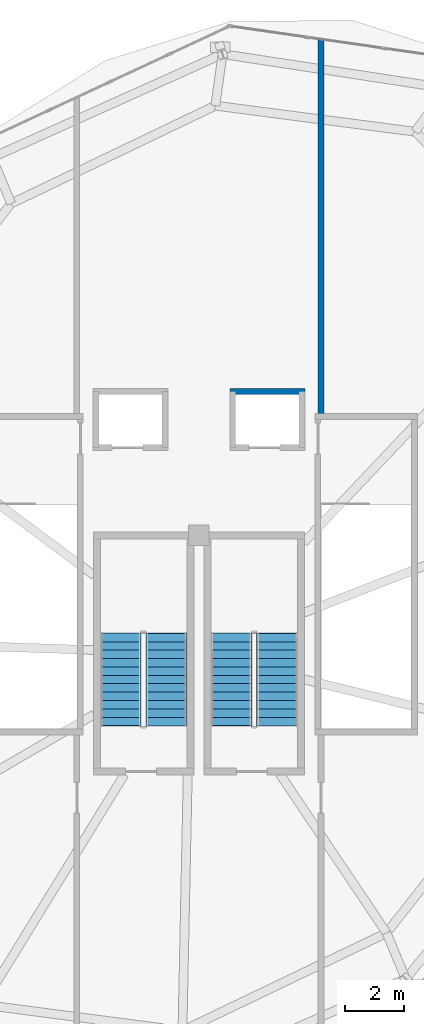
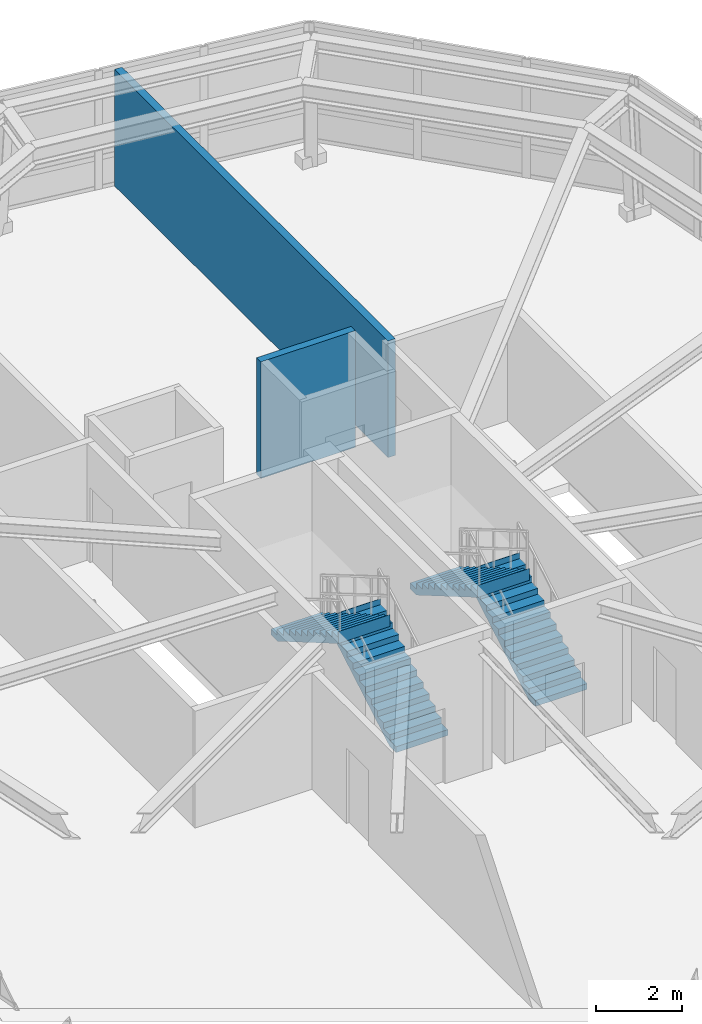
# One storey, part 13 of 14: 4 stair flights, 2 walls, 2 elements without a shape of their own.
"""IFC4 building model written with IfcOpenShell, lengths in metres."""

import ifcopenshell
import ifcopenshell.guid

model = None  # the IFC model being written
_history = None  # IfcOwnerHistory: only IFC2X3 demands one
_inside = {}  # id of a spatial element -> (the spatial element, [elements in it])
_under = {}  # id of a project, library or spatial element -> (it, [spatial elements below it])
_declared = {}  # id of a project -> (the project, [libraries it declares])
_typed = {}  # id of a type object -> (the type object, [elements of that type])
_made_of = {}  # id of a material, layer set ... -> (it, [elements and type objects made of it])


def new_model(schema):
    """Start an empty IFC model of exactly this schema.

    Asked for "IFC4X3", IfcOpenShell would pick the latest addendum, in which some entities
    have other attributes; the version numbers below select the first issue.
    IFC2X3 requires an IfcOwnerHistory on every rooted entity: one is made here for all.
    """
    global model, _history
    if schema == "IFC4X3":
        model = ifcopenshell.file(schema_version=(4, 3, 0, 0))
    else:
        model = ifcopenshell.file(schema=schema)
    _inside.clear()
    _under.clear()
    _declared.clear()
    _typed.clear()
    _made_of.clear()
    _history = None
    if model.schema == "IFC2X3":
        org = make("IfcOrganization", Name="unknown")
        user = make(
            "IfcPersonAndOrganization",
            ThePerson=make("IfcPerson", FamilyName="unknown"),
            TheOrganization=org,
        )
        app = make(
            "IfcApplication",
            ApplicationDeveloper=org,
            Version="unknown",
            ApplicationFullName="unknown",
            ApplicationIdentifier="unknown",
        )
        _history = make(
            "IfcOwnerHistory",
            OwningUser=user,
            OwningApplication=app,
            ChangeAction="ADDED",
            CreationDate=0,
        )
    return model


def make(cls, **values):
    """One entity of the class cls with the attributes given. An attribute that is None is left unset."""
    return model.create_entity(
        cls, **{name: value for name, value in values.items() if value is not None}
    )


def rooted(cls, **values):
    """An entity with a GlobalId (a new one), such as an element, a storey or a relation."""
    return make(cls, GlobalId=ifcopenshell.guid.new(), OwnerHistory=_history, **values)


def si_unit(unit_type, name, prefix=None):
    """IfcSIUnit, for example si_unit("LENGTHUNIT", "METRE", prefix="MILLI")."""
    return make("IfcSIUnit", UnitType=unit_type, Prefix=prefix, Name=name)


def assignment(units):
    """IfcUnitAssignment: the units of a project."""
    return None if units is None else make("IfcUnitAssignment", Units=units)


def point(xyz):
    """IfcCartesianPoint."""
    return None if xyz is None else make("IfcCartesianPoint", Coordinates=xyz)


def direction(xyz):
    """IfcDirection."""
    return None if xyz is None else make("IfcDirection", DirectionRatios=xyz)


def frame(location, z_axis=None, x_axis=None):
    """IfcAxis2Placement3D, a coordinate frame: its origin and axes. An axis left out is left unset."""
    return make(
        "IfcAxis2Placement3D",
        Location=point(location),
        Axis=direction(z_axis),
        RefDirection=direction(x_axis),
    )


def frame_2d(location, x_axis=None):
    """IfcAxis2Placement2D, a coordinate frame in the plane: its origin and x axis."""
    return make(
        "IfcAxis2Placement2D", Location=point(location), RefDirection=direction(x_axis)
    )


def origin():
    """The frame at (0, 0, 0) with its axes left unset."""
    return frame((0.0, 0.0, 0.0))


def place(relative_to, where):
    """IfcLocalPlacement: puts the frame where relative to a parent placement (None: the world)."""
    return make(
        "IfcLocalPlacement", PlacementRelTo=relative_to, RelativePlacement=where
    )


def context(
    kind, dimensions, precision=None, world=None, true_north=None, identifier=None
):
    """IfcGeometricRepresentationContext, for example the 3D "Model" context."""
    return make(
        "IfcGeometricRepresentationContext",
        ContextIdentifier=identifier,
        ContextType=kind,
        CoordinateSpaceDimension=dimensions,
        Precision=precision,
        WorldCoordinateSystem=world,
        TrueNorth=true_north,
    )


def subcontext(parent, identifier, kind, view, scale=None):
    """IfcGeometricRepresentationSubContext, for example "Body" below "Model"."""
    return make(
        "IfcGeometricRepresentationSubContext",
        ContextIdentifier=identifier,
        ContextType=kind,
        ParentContext=parent,
        TargetScale=scale,
        TargetView=view,
    )


def project(units=None, contexts=None):
    """IfcProject with its units and contexts."""
    return rooted(
        "IfcProject",
        Name="project",
        RepresentationContexts=contexts,
        UnitsInContext=assignment(units),
    )


def spatial(cls, under=None, at=None, **own):
    """A site, building, storey or space (cls), placed at a placement, below another one or the project."""
    s = rooted(cls, ObjectPlacement=at, **own)
    if under is not None:
        _under.setdefault(under.id(), (under, []))[1].append(s)
    return s


def polyline(points):
    """IfcPolyline through the points."""
    return make("IfcPolyline", Points=[point(p) for p in points])


def profile(cls, at=None, kind="AREA", **sizes):
    """A parametric profile (cls). Its sizes go by their IFC names, for example OverallWidth=200.0."""
    return make(cls, ProfileType=kind, Position=at, **sizes)


def rectangle(**sizes):
    """IfcRectangleProfileDef."""
    return profile("IfcRectangleProfileDef", **sizes)


def outline(outer, holes=None, kind="AREA"):
    """IfcArbitraryClosedProfileDef: a profile drawn as a closed curve; with holes, ...WithVoids."""
    if holes is None:
        return make("IfcArbitraryClosedProfileDef", ProfileType=kind, OuterCurve=outer)
    return make(
        "IfcArbitraryProfileDefWithVoids",
        ProfileType=kind,
        OuterCurve=outer,
        InnerCurves=holes,
    )


def extrude(swept, where, along, depth):
    """IfcExtrudedAreaSolid: the profile swept, set in the frame where, extruded along a direction by depth."""
    return make(
        "IfcExtrudedAreaSolid",
        SweptArea=swept,
        Position=where,
        ExtrudedDirection=direction(along),
        Depth=depth,
    )


def shape(context_of_items, identifier, shape_type, items):
    """IfcShapeRepresentation: the items that make up one representation, for example the "Body"."""
    return make(
        "IfcShapeRepresentation",
        ContextOfItems=context_of_items,
        RepresentationIdentifier=identifier,
        RepresentationType=shape_type,
        Items=items,
    )


def material(Name=None, Category=None):
    """IfcMaterial."""
    return make("IfcMaterial", Name=Name, Category=Category)


def layer(
    of_material, thickness, ventilated=None, Name=None, Category=None, Priority=None
):
    """IfcMaterialLayer: one layer of a wall or slab, of a material (None: an air gap)."""
    return make(
        "IfcMaterialLayer",
        Material=of_material,
        LayerThickness=thickness,
        IsVentilated=ventilated,
        Name=Name,
        Category=Category,
        Priority=Priority,
    )


def layer_set(layers, Name=None):
    """IfcMaterialLayerSet."""
    return make("IfcMaterialLayerSet", MaterialLayers=layers, LayerSetName=Name)


def made_of(thing, what):
    """Note that an element or type object is made of a material, layer set ...; save() writes the relation."""
    if what is not None:
        _made_of.setdefault(what.id(), (what, []))[1].append(thing)
    return thing


def type_object(cls, material=None, **own):
    """A type object (cls), such as IfcWallType, which elements share."""
    return made_of(rooted(cls, **own), material)


def element(
    cls,
    number,
    at=None,
    inside=None,
    cuts=None,
    type_object=None,
    material=None,
    context=None,
    identifier="Body",
    shape_type=None,
    held_by="IfcProductDefinitionShape",
    body=None,
    shapes=None,
    **own,
):
    """One element of the class cls, such as IfcWall. Its Tag is "e" and its number.

    at: its placement. inside: the storey or other place that contains it. cuts: it is an
    opening in that element (IfcRelVoidsElement). A single representation is given by context,
    identifier, shape_type and body (its items); several are given by shapes. held_by: the class
    of the entity that holds the representations. save() writes the other relations.
    """
    e = rooted(cls, Tag="e%d" % number, ObjectPlacement=at, **own)
    if body is not None:
        shapes = [shape(context, identifier, shape_type, body)]
    if shapes is not None:
        e.Representation = make(held_by, Representations=shapes)
    if inside is not None:
        _inside.setdefault(inside.id(), (inside, []))[1].append(e)
    if cuts is not None:
        rooted(
            "IfcRelVoidsElement", RelatingBuildingElement=cuts, RelatedOpeningElement=e
        )
    if type_object is not None:
        _typed.setdefault(type_object.id(), (type_object, []))[1].append(e)
    return made_of(e, material)


def aggregate(whole, parts):
    """IfcRelAggregates: a whole, such as a stair, and the parts it consists of."""
    return rooted("IfcRelAggregates", RelatingObject=whole, RelatedObjects=parts)


def save(model, path):
    """Write the relations noted so far, then the file.

    IfcRelAggregates (storeys below a building ...), IfcRelContainedInSpatialStructure (elements
    in a storey), IfcRelDefinesByType, IfcRelAssociatesMaterial and IfcRelDeclares: one each for
    every whole, place, type object, material and project.
    """
    for whole, parts in _under.values():
        aggregate(whole, parts)
    for where, things in _inside.values():
        rooted(
            "IfcRelContainedInSpatialStructure",
            RelatedElements=things,
            RelatingStructure=where,
        )
    for kind, things in _typed.values():
        rooted("IfcRelDefinesByType", RelatedObjects=things, RelatingType=kind)
    for what, things in _made_of.values():
        rooted("IfcRelAssociatesMaterial", RelatedObjects=things, RelatingMaterial=what)
    for by, libraries in _declared.values():
        rooted("IfcRelDeclares", RelatingContext=by, RelatedDefinitions=libraries)
    model.write(path)


model = new_model("IFC4")

# Units and contexts
model_context = context("Model", 3, precision=1e-05, world=origin(), true_north=direction((0.0, 1.0)))
body_context = subcontext(model_context, "Body", "Model", "MODEL_VIEW")
ifc_project = project(units=[si_unit("LENGTHUNIT", "METRE"), si_unit("AREAUNIT", "SQUARE_METRE"), si_unit("VOLUMEUNIT", "CUBIC_METRE"), si_unit("PLANEANGLEUNIT", "RADIAN"), si_unit("MASSUNIT", "GRAM", prefix="KILO"), si_unit("THERMODYNAMICTEMPERATUREUNIT", "KELVIN"), si_unit("POWERUNIT", "WATT")], contexts=[model_context])

# Site, building, storey
site_placement = place(None, origin())
site = spatial("IfcSite", under=ifc_project, at=site_placement, CompositionType="ELEMENT")
building_placement = place(site_placement, origin())
building = spatial("IfcBuilding", under=site, at=building_placement, Name="Ocrelia Relay Tower", CompositionType="ELEMENT")
storey_placement = place(building_placement, frame((0.0, 0.0, 288.0)))
storey = spatial("IfcBuildingStorey", under=building, at=storey_placement, Name="L72", CompositionType="ELEMENT", Elevation=288.0)

# Walls
ifc_material = material(Name="Concrete C50/60", Category="concrete")
ifc_layer = layer(ifc_material, 0.199951171875, Name="Concrete C50/60")
ifc_layer_set = layer_set([ifc_layer], Name="Concrete C50/60")
wall_type = type_object("IfcWallType", Name="W-SHAFT-EI120-200", PredefinedType="SOLIDWALL", material=ifc_layer_set)
wall_1_placement = place(storey_placement, frame((35.050048828125, 32.0, 0.0), z_axis=(0.0, 0.0, 1.0), x_axis=(1.0, 0.0, 0.0)))
element("IfcWall", 1, at=wall_1_placement, inside=storey, type_object=wall_type, Name="L72 FFL2 N Wall", PredefinedType="SOLIDWALL", context=body_context, shape_type="SweptSolid", body=[
    extrude(rectangle(XDim=2.550048828125, YDim=0.199951171875, at=frame_2d((1.27490234375, 0.0))), origin(), (0.0, 0.0, 1.0), 3.330078125),
])
wall_2_placement = place(storey_placement, frame((38.14990234375, 31.14990234375, 0.0), z_axis=(0.0, 0.0, 1.0), x_axis=(0.0, 1.0, 0.0)))
element("IfcWall", 2, at=wall_2_placement, inside=storey, type_object=wall_type, Name="L72 Crown Lobby North-East Wall", PredefinedType="SOLIDWALL", context=body_context, shape_type="SweptSolid", body=[
    extrude(rectangle(XDim=12.791748046875, YDim=0.199951171875, at=frame_2d((6.39599609375, 0.0))), origin(), (0.0, 0.0, 1.0), 3.330078125),
])

# Stair, stair flights
stair_type = type_object("IfcStairType", Name="ST-DL-1400-R167", PredefinedType="HALF_TURN_STAIR", material=ifc_material)
stair_1_placement = place(storey_placement, origin())
stair_1 = element("IfcStair", 3, at=stair_1_placement, inside=storey, type_object=stair_type, Name="L72 Crown North-West Stair ST4", PredefinedType="HALF_TURN_STAIR")
stair_flight_type = type_object("IfcStairFlightType", Name="STF-DL-1400-R167", PredefinedType="STRAIGHT", material=ifc_material)
stair_flight_1_placement = place(storey_placement, frame((32.89990234375, 20.64990234375, 0.0), z_axis=(0.0, 0.0, 1.0), x_axis=(0.0, 1.0, 0.0)))
stair_flight_1 = element("IfcStairFlight", 4, at=stair_flight_1_placement, type_object=stair_flight_type, Name="ST4 flight 1", NumberOfRisers=12, NumberOfTreads=11, PredefinedType="STRAIGHT", RiserHeight=0.166666667, TreadLength=0.285, context=body_context, shape_type="SweptSolid", body=[
    extrude(outline(polyline([(-0.008056640625, 0.0), (-0.008056640625, 0.166748046875), (0.0, 0.166748046875), (0.284912109375, 0.166748046875), (0.284912109375, 0.333251953125), (0.570068359375, 0.333251953125), (0.570068359375, 0.5), (0.85498046875, 0.5), (0.85498046875, 0.666748046875), (1.139892578125, 0.666748046875), (1.139892578125, 0.833251953125), (1.425048828125, 0.833251953125), (1.425048828125, 1.0), (1.7099609375, 1.0), (1.7099609375, 1.166748046875), (1.9951171875, 1.166748046875), (1.9951171875, 1.333251953125), (2.280029296875, 1.333251953125), (2.280029296875, 1.5), (2.56494140625, 1.5), (2.56494140625, 1.666748046875), (2.85009765625, 1.666748046875), (2.85009765625, 1.833251953125), (3.135009765625, 1.833251953125), (3.135009765625, 2.0), (3.14306640625, 2.0), (3.14306640625, 1.65966796875), (0.296875, 0.0), (-0.008056640625, 0.0)])), frame((0.0, 0.699951171875, 0.0), z_axis=(0.0, -1.0, 0.0), x_axis=(1.0, 0.0, 0.0)), (0.0, 0.0, 1.0), 1.39990234375),
])
stair_flight_2_placement = place(storey_placement, frame((31.340087890625, 23.784912109375, 2.0), z_axis=(0.0, 0.0, 1.0), x_axis=(0.0, -1.0, 0.0)))
stair_flight_2 = element("IfcStairFlight", 5, at=stair_flight_2_placement, type_object=stair_flight_type, Name="ST4 flight 2", NumberOfRisers=12, NumberOfTreads=11, PredefinedType="STRAIGHT", RiserHeight=0.166666667, TreadLength=0.285, context=body_context, shape_type="SweptSolid", body=[
    extrude(outline(polyline([(-0.008056640625, 0.0), (-0.008056640625, 0.166748046875), (0.0, 0.166748046875), (0.284912109375, 0.166748046875), (0.284912109375, 0.333251953125), (0.570068359375, 0.333251953125), (0.570068359375, 0.5), (0.85498046875, 0.5), (0.85498046875, 0.666748046875), (1.139892578125, 0.666748046875), (1.139892578125, 0.833251953125), (1.425048828125, 0.833251953125), (1.425048828125, 1.0), (1.7099609375, 1.0), (1.7099609375, 1.166748046875), (1.9951171875, 1.166748046875), (1.9951171875, 1.333251953125), (2.280029296875, 1.333251953125), (2.280029296875, 1.5), (2.56494140625, 1.5), (2.56494140625, 1.666748046875), (2.85009765625, 1.666748046875), (2.85009765625, 1.833251953125), (3.135009765625, 1.833251953125), (3.135009765625, 2.0), (3.14306640625, 2.0), (3.14306640625, 1.65966796875), (0.296875, 0.0), (-0.008056640625, 0.0)])), frame((0.0, 0.699951171875, 0.0), z_axis=(0.0, -1.0, 0.0), x_axis=(1.0, 0.0, 0.0)), (0.0, 0.0, 1.0), 1.39990234375),
])
aggregate(stair_1, [stair_flight_1, stair_flight_2])

stair_2_placement = place(storey_placement, origin())
stair_2 = element("IfcStair", 6, at=stair_2_placement, inside=storey, type_object=stair_type, Name="L72 Crown North-East Stair ST5", PredefinedType="HALF_TURN_STAIR")
stair_flight_3_placement = place(storey_placement, frame((36.659912109375, 20.64990234375, 0.0), z_axis=(0.0, 0.0, 1.0), x_axis=(0.0, 1.0, 0.0)))
stair_flight_3 = element("IfcStairFlight", 7, at=stair_flight_3_placement, type_object=stair_flight_type, Name="ST5 flight 1", NumberOfRisers=12, NumberOfTreads=11, PredefinedType="STRAIGHT", RiserHeight=0.166666667, TreadLength=0.285, context=body_context, shape_type="SweptSolid", body=[
    extrude(outline(polyline([(-0.008056640625, 0.0), (-0.008056640625, 0.166748046875), (0.0, 0.166748046875), (0.284912109375, 0.166748046875), (0.284912109375, 0.333251953125), (0.570068359375, 0.333251953125), (0.570068359375, 0.5), (0.85498046875, 0.5), (0.85498046875, 0.666748046875), (1.139892578125, 0.666748046875), (1.139892578125, 0.833251953125), (1.425048828125, 0.833251953125), (1.425048828125, 1.0), (1.7099609375, 1.0), (1.7099609375, 1.166748046875), (1.9951171875, 1.166748046875), (1.9951171875, 1.333251953125), (2.280029296875, 1.333251953125), (2.280029296875, 1.5), (2.56494140625, 1.5), (2.56494140625, 1.666748046875), (2.85009765625, 1.666748046875), (2.85009765625, 1.833251953125), (3.135009765625, 1.833251953125), (3.135009765625, 2.0), (3.14306640625, 2.0), (3.14306640625, 1.65966796875), (0.296875, 0.0), (-0.008056640625, 0.0)])), frame((0.0, 0.699951171875, 0.0), z_axis=(0.0, -1.0, 0.0), x_axis=(1.0, 0.0, 0.0)), (0.0, 0.0, 1.0), 1.39990234375),
])
stair_flight_4_placement = place(storey_placement, frame((35.10009765625, 23.784912109375, 2.0), z_axis=(0.0, 0.0, 1.0), x_axis=(0.0, -1.0, 0.0)))
stair_flight_4 = element("IfcStairFlight", 8, at=stair_flight_4_placement, type_object=stair_flight_type, Name="ST5 flight 2", NumberOfRisers=12, NumberOfTreads=11, PredefinedType="STRAIGHT", RiserHeight=0.166666667, TreadLength=0.285, context=body_context, shape_type="SweptSolid", body=[
    extrude(outline(polyline([(-0.008056640625, 0.0), (-0.008056640625, 0.166748046875), (0.0, 0.166748046875), (0.284912109375, 0.166748046875), (0.284912109375, 0.333251953125), (0.570068359375, 0.333251953125), (0.570068359375, 0.5), (0.85498046875, 0.5), (0.85498046875, 0.666748046875), (1.139892578125, 0.666748046875), (1.139892578125, 0.833251953125), (1.425048828125, 0.833251953125), (1.425048828125, 1.0), (1.7099609375, 1.0), (1.7099609375, 1.166748046875), (1.9951171875, 1.166748046875), (1.9951171875, 1.333251953125), (2.280029296875, 1.333251953125), (2.280029296875, 1.5), (2.56494140625, 1.5), (2.56494140625, 1.666748046875), (2.85009765625, 1.666748046875), (2.85009765625, 1.833251953125), (3.135009765625, 1.833251953125), (3.135009765625, 2.0), (3.14306640625, 2.0), (3.14306640625, 1.65966796875), (0.296875, 0.0), (-0.008056640625, 0.0)])), frame((0.0, 0.699951171875, 0.0), z_axis=(0.0, -1.0, 0.0), x_axis=(1.0, 0.0, 0.0)), (0.0, 0.0, 1.0), 1.39990234375),
])
aggregate(stair_2, [stair_flight_3, stair_flight_4])

save(model, "model.ifc")
